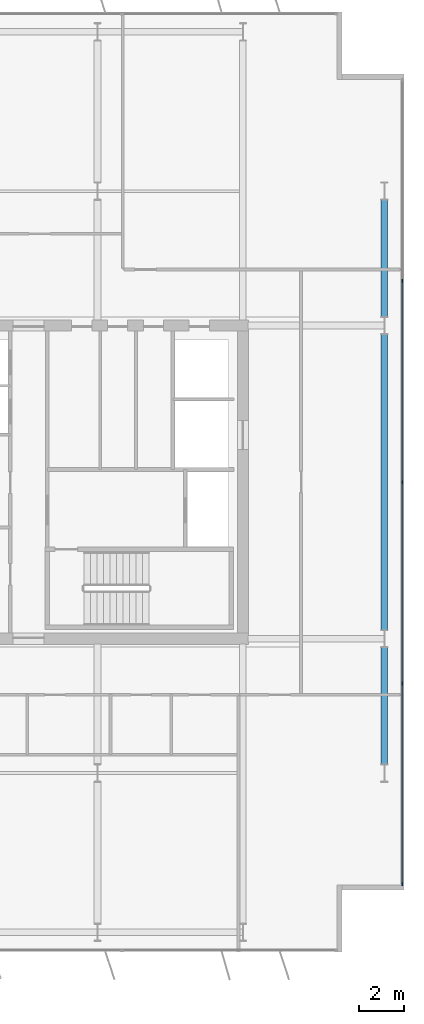
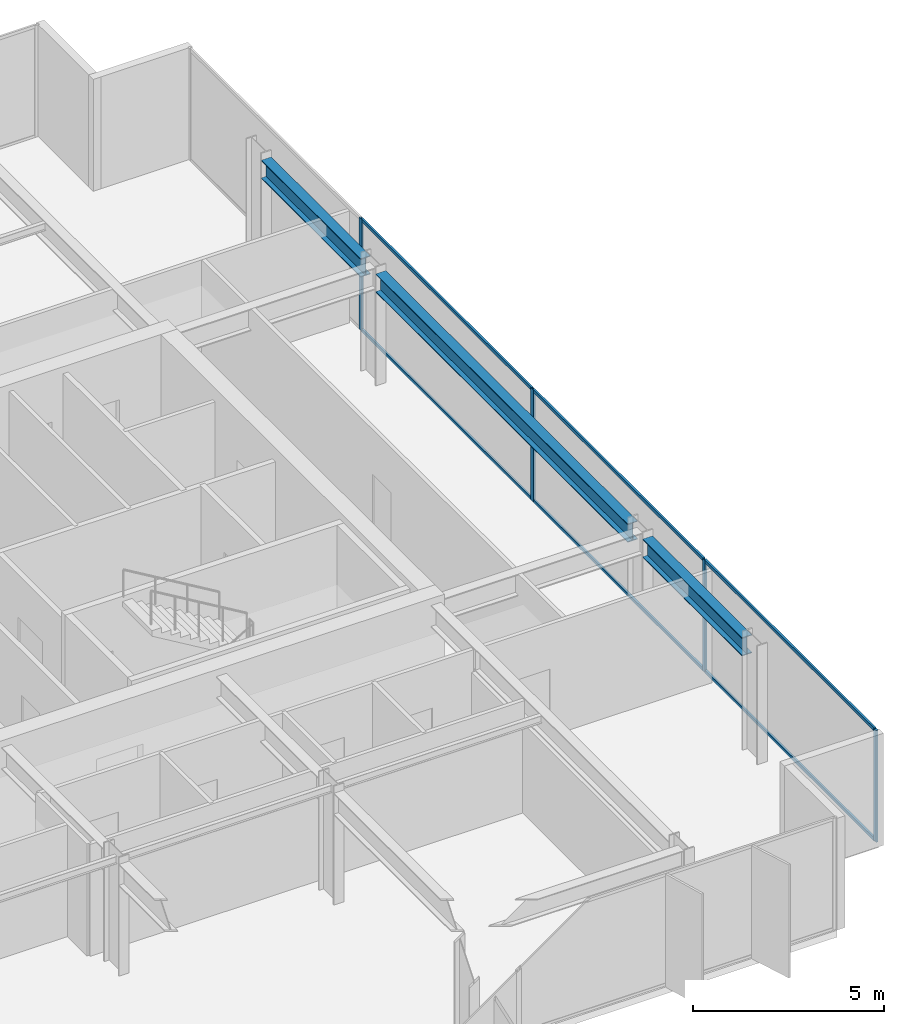
# One storey, part 14 of 23: 10 members, 3 beams, 1 element without a shape of its own.
"""IFC4 building model written with IfcOpenShell, lengths in metres."""

import ifcopenshell
import ifcopenshell.guid

model = None  # the IFC model being written
_history = None  # IfcOwnerHistory: only IFC2X3 demands one
_inside = {}  # id of a spatial element -> (the spatial element, [elements in it])
_under = {}  # id of a project, library or spatial element -> (it, [spatial elements below it])
_declared = {}  # id of a project -> (the project, [libraries it declares])
_typed = {}  # id of a type object -> (the type object, [elements of that type])
_made_of = {}  # id of a material, layer set ... -> (it, [elements and type objects made of it])


def new_model(schema):
    """Start an empty IFC model of exactly this schema.

    Asked for "IFC4X3", IfcOpenShell would pick the latest addendum, in which some entities
    have other attributes; the version numbers below select the first issue.
    IFC2X3 requires an IfcOwnerHistory on every rooted entity: one is made here for all.
    """
    global model, _history
    if schema == "IFC4X3":
        model = ifcopenshell.file(schema_version=(4, 3, 0, 0))
    else:
        model = ifcopenshell.file(schema=schema)
    _inside.clear()
    _under.clear()
    _declared.clear()
    _typed.clear()
    _made_of.clear()
    _history = None
    if model.schema == "IFC2X3":
        org = make("IfcOrganization", Name="unknown")
        user = make(
            "IfcPersonAndOrganization",
            ThePerson=make("IfcPerson", FamilyName="unknown"),
            TheOrganization=org,
        )
        app = make(
            "IfcApplication",
            ApplicationDeveloper=org,
            Version="unknown",
            ApplicationFullName="unknown",
            ApplicationIdentifier="unknown",
        )
        _history = make(
            "IfcOwnerHistory",
            OwningUser=user,
            OwningApplication=app,
            ChangeAction="ADDED",
            CreationDate=0,
        )
    return model


def make(cls, **values):
    """One entity of the class cls with the attributes given. An attribute that is None is left unset."""
    return model.create_entity(
        cls, **{name: value for name, value in values.items() if value is not None}
    )


def rooted(cls, **values):
    """An entity with a GlobalId (a new one), such as an element, a storey or a relation."""
    return make(cls, GlobalId=ifcopenshell.guid.new(), OwnerHistory=_history, **values)


def si_unit(unit_type, name, prefix=None):
    """IfcSIUnit, for example si_unit("LENGTHUNIT", "METRE", prefix="MILLI")."""
    return make("IfcSIUnit", UnitType=unit_type, Prefix=prefix, Name=name)


def assignment(units):
    """IfcUnitAssignment: the units of a project."""
    return None if units is None else make("IfcUnitAssignment", Units=units)


def point(xyz):
    """IfcCartesianPoint."""
    return None if xyz is None else make("IfcCartesianPoint", Coordinates=xyz)


def direction(xyz):
    """IfcDirection."""
    return None if xyz is None else make("IfcDirection", DirectionRatios=xyz)


def frame(location, z_axis=None, x_axis=None):
    """IfcAxis2Placement3D, a coordinate frame: its origin and axes. An axis left out is left unset."""
    return make(
        "IfcAxis2Placement3D",
        Location=point(location),
        Axis=direction(z_axis),
        RefDirection=direction(x_axis),
    )


def frame_2d(location, x_axis=None):
    """IfcAxis2Placement2D, a coordinate frame in the plane: its origin and x axis."""
    return make(
        "IfcAxis2Placement2D", Location=point(location), RefDirection=direction(x_axis)
    )


def origin():
    """The frame at (0, 0, 0) with its axes left unset."""
    return frame((0.0, 0.0, 0.0))


def origin_2d():
    """The frame at (0, 0) in the plane with its x axis left unset."""
    return frame_2d((0.0, 0.0))


def place(relative_to, where):
    """IfcLocalPlacement: puts the frame where relative to a parent placement (None: the world)."""
    return make(
        "IfcLocalPlacement", PlacementRelTo=relative_to, RelativePlacement=where
    )


def context(
    kind, dimensions, precision=None, world=None, true_north=None, identifier=None
):
    """IfcGeometricRepresentationContext, for example the 3D "Model" context."""
    return make(
        "IfcGeometricRepresentationContext",
        ContextIdentifier=identifier,
        ContextType=kind,
        CoordinateSpaceDimension=dimensions,
        Precision=precision,
        WorldCoordinateSystem=world,
        TrueNorth=true_north,
    )


def subcontext(parent, identifier, kind, view, scale=None):
    """IfcGeometricRepresentationSubContext, for example "Body" below "Model"."""
    return make(
        "IfcGeometricRepresentationSubContext",
        ContextIdentifier=identifier,
        ContextType=kind,
        ParentContext=parent,
        TargetScale=scale,
        TargetView=view,
    )


def project(units=None, contexts=None):
    """IfcProject with its units and contexts."""
    return rooted(
        "IfcProject",
        Name="project",
        RepresentationContexts=contexts,
        UnitsInContext=assignment(units),
    )


def spatial(cls, under=None, at=None, **own):
    """A site, building, storey or space (cls), placed at a placement, below another one or the project."""
    s = rooted(cls, ObjectPlacement=at, **own)
    if under is not None:
        _under.setdefault(under.id(), (under, []))[1].append(s)
    return s


def profile(cls, at=None, kind="AREA", **sizes):
    """A parametric profile (cls). Its sizes go by their IFC names, for example OverallWidth=200.0."""
    return make(cls, ProfileType=kind, Position=at, **sizes)


def rectangle(**sizes):
    """IfcRectangleProfileDef."""
    return profile("IfcRectangleProfileDef", **sizes)


def i_section(**sizes):
    """IfcIShapeProfileDef."""
    return profile("IfcIShapeProfileDef", **sizes)


def extrude(swept, where, along, depth):
    """IfcExtrudedAreaSolid: the profile swept, set in the frame where, extruded along a direction by depth."""
    return make(
        "IfcExtrudedAreaSolid",
        SweptArea=swept,
        Position=where,
        ExtrudedDirection=direction(along),
        Depth=depth,
    )


def shape(context_of_items, identifier, shape_type, items):
    """IfcShapeRepresentation: the items that make up one representation, for example the "Body"."""
    return make(
        "IfcShapeRepresentation",
        ContextOfItems=context_of_items,
        RepresentationIdentifier=identifier,
        RepresentationType=shape_type,
        Items=items,
    )


def material(Name=None, Category=None):
    """IfcMaterial."""
    return make("IfcMaterial", Name=Name, Category=Category)


def layer(
    of_material, thickness, ventilated=None, Name=None, Category=None, Priority=None
):
    """IfcMaterialLayer: one layer of a wall or slab, of a material (None: an air gap)."""
    return make(
        "IfcMaterialLayer",
        Material=of_material,
        LayerThickness=thickness,
        IsVentilated=ventilated,
        Name=Name,
        Category=Category,
        Priority=Priority,
    )


def layer_set(layers, Name=None):
    """IfcMaterialLayerSet."""
    return make("IfcMaterialLayerSet", MaterialLayers=layers, LayerSetName=Name)


def material_profile(
    of_material, cross_section, Name=None, Category=None, Priority=None
):
    """IfcMaterialProfile: a cross section and its material."""
    return make(
        "IfcMaterialProfile",
        Name=Name,
        Material=of_material,
        Profile=cross_section,
        Priority=Priority,
        Category=Category,
    )


def profile_set(profiles, Name=None, composite=None):
    """IfcMaterialProfileSet."""
    return make(
        "IfcMaterialProfileSet",
        Name=Name,
        MaterialProfiles=profiles,
        CompositeProfile=composite,
    )


def made_of(thing, what):
    """Note that an element or type object is made of a material, layer set ...; save() writes the relation."""
    if what is not None:
        _made_of.setdefault(what.id(), (what, []))[1].append(thing)
    return thing


def type_object(cls, material=None, **own):
    """A type object (cls), such as IfcWallType, which elements share."""
    return made_of(rooted(cls, **own), material)


def element(
    cls,
    number,
    at=None,
    inside=None,
    cuts=None,
    type_object=None,
    material=None,
    context=None,
    identifier="Body",
    shape_type=None,
    held_by="IfcProductDefinitionShape",
    body=None,
    shapes=None,
    **own,
):
    """One element of the class cls, such as IfcWall. Its Tag is "e" and its number.

    at: its placement. inside: the storey or other place that contains it. cuts: it is an
    opening in that element (IfcRelVoidsElement). A single representation is given by context,
    identifier, shape_type and body (its items); several are given by shapes. held_by: the class
    of the entity that holds the representations. save() writes the other relations.
    """
    e = rooted(cls, Tag="e%d" % number, ObjectPlacement=at, **own)
    if body is not None:
        shapes = [shape(context, identifier, shape_type, body)]
    if shapes is not None:
        e.Representation = make(held_by, Representations=shapes)
    if inside is not None:
        _inside.setdefault(inside.id(), (inside, []))[1].append(e)
    if cuts is not None:
        rooted(
            "IfcRelVoidsElement", RelatingBuildingElement=cuts, RelatedOpeningElement=e
        )
    if type_object is not None:
        _typed.setdefault(type_object.id(), (type_object, []))[1].append(e)
    return made_of(e, material)


def aggregate(whole, parts):
    """IfcRelAggregates: a whole, such as a stair, and the parts it consists of."""
    return rooted("IfcRelAggregates", RelatingObject=whole, RelatedObjects=parts)


def save(model, path):
    """Write the relations noted so far, then the file.

    IfcRelAggregates (storeys below a building ...), IfcRelContainedInSpatialStructure (elements
    in a storey), IfcRelDefinesByType, IfcRelAssociatesMaterial and IfcRelDeclares: one each for
    every whole, place, type object, material and project.
    """
    for whole, parts in _under.values():
        aggregate(whole, parts)
    for where, things in _inside.values():
        rooted(
            "IfcRelContainedInSpatialStructure",
            RelatedElements=things,
            RelatingStructure=where,
        )
    for kind, things in _typed.values():
        rooted("IfcRelDefinesByType", RelatedObjects=things, RelatingType=kind)
    for what, things in _made_of.values():
        rooted("IfcRelAssociatesMaterial", RelatedObjects=things, RelatingMaterial=what)
    for by, libraries in _declared.values():
        rooted("IfcRelDeclares", RelatingContext=by, RelatedDefinitions=libraries)
    model.write(path)


model = new_model("IFC4")

# Units and contexts
model_context = context("Model", 3, precision=1e-05, world=origin(), true_north=direction((0.0, 1.0)))
body_context = subcontext(model_context, "Body", "Model", "MODEL_VIEW")
ifc_project = project(units=[si_unit("LENGTHUNIT", "METRE"), si_unit("AREAUNIT", "SQUARE_METRE"), si_unit("VOLUMEUNIT", "CUBIC_METRE"), si_unit("PLANEANGLEUNIT", "RADIAN"), si_unit("MASSUNIT", "GRAM", prefix="KILO")], contexts=[model_context])

# Site, building, storey
site_placement = place(None, origin())
site = spatial("IfcSite", under=ifc_project, at=site_placement, CompositionType="ELEMENT")
building_placement = place(site_placement, origin())
building = spatial("IfcBuilding", under=site, at=building_placement, Name="Putna Gate Headquarters", CompositionType="ELEMENT")
storey_placement = place(building_placement, frame((0.0, 0.0, 213.800048828125)))
storey = spatial("IfcBuildingStorey", under=building, at=storey_placement, Name="L53", CompositionType="ELEMENT", Elevation=213.800048828125)

# Beams
ifc_material_1 = material(Name="Steel S355J2", Category="steel")
ifc_material_profile_1 = material_profile(ifc_material_1, i_section(OverallWidth=0.300048828125, OverallDepth=0.590087890625, WebThickness=0.012939453125, FlangeThickness=0.02490234375, at=origin_2d()), Name="Steel S355J2")
ifc_profile_set_1 = profile_set([ifc_material_profile_1], Name="Steel S355J2")
beam_type = type_object("IfcBeamType", Name="BM-SPAN-Z4-HEA600", PredefinedType="SPANDREL", material=ifc_profile_set_1)
beam_1_placement = place(storey_placement, frame((71.320068359375, 13.39501953125, 3.284912109375), z_axis=(0.0, 1.0, 0.0), x_axis=(-1.0, 0.0, 0.0)))
element("IfcBeam", 1, at=beam_1_placement, inside=storey, type_object=beam_type, Name="L53 E End Spandrel 1", PredefinedType="SPANDREL", context=body_context, shape_type="SweptSolid", body=[
    extrude(i_section(OverallWidth=0.300048828125, OverallDepth=0.590087890625, WebThickness=0.012939453125, FlangeThickness=0.02490234375, at=origin_2d()), origin(), (0.0, 0.0, 1.0), 5.2099609375),
])
beam_2_placement = place(storey_placement, frame((71.320068359375, 19.39501953125, 3.284912109375), z_axis=(0.0, 1.0, 0.0), x_axis=(-1.0, 0.0, 0.0)))
element("IfcBeam", 2, at=beam_2_placement, inside=storey, type_object=beam_type, Name="L53 E End Spandrel 2", PredefinedType="SPANDREL", context=body_context, shape_type="SweptSolid", body=[
    extrude(i_section(OverallWidth=0.300048828125, OverallDepth=0.590087890625, WebThickness=0.012939453125, FlangeThickness=0.02490234375, at=origin_2d()), origin(), (0.0, 0.0, 1.0), 13.2099609375),
])
beam_3_placement = place(storey_placement, frame((71.320068359375, 33.39501953125, 3.284912109375), z_axis=(0.0, 1.0, 0.0), x_axis=(-1.0, 0.0, 0.0)))
element("IfcBeam", 3, at=beam_3_placement, inside=storey, type_object=beam_type, Name="L53 E End Spandrel 3", PredefinedType="SPANDREL", context=body_context, shape_type="SweptSolid", body=[
    extrude(i_section(OverallWidth=0.300048828125, OverallDepth=0.590087890625, WebThickness=0.012939453125, FlangeThickness=0.02490234375, at=origin_2d()), origin(), (0.0, 0.0, 1.0), 5.2099609375),
])

# Curtain wall, members
ifc_material_2 = material(Name="Anodised bronze aluminium curtain wall", Category="aluminium")
ifc_layer = layer(ifc_material_2, 0.139892578125)
ifc_layer_set = layer_set([ifc_layer], Name="Anodised bronze aluminium curtain wall")
curtain_wall_type = type_object("IfcCurtainWallType", Name="CW-SYS-Z4", PredefinedType="USERDEFINED", material=ifc_layer_set)
curtain_wall_placement = place(storey_placement, origin())
curtain_wall = element("IfcCurtainWall", 4, at=curtain_wall_placement, inside=storey, type_object=curtain_wall_type, Name="L53 East Curtain Wall", ObjectType="STICK CURTAIN WALL", PredefinedType="USERDEFINED")
ifc_material_3 = material(Name="Anodised bronze aluminium EN AW-6060", Category="aluminium")
ifc_material_profile_2 = material_profile(ifc_material_3, rectangle(XDim=0.06005859375, YDim=0.139892578125, at=origin_2d()), Name="Anodised bronze aluminium EN AW-6060")
ifc_profile_set_2 = profile_set([ifc_material_profile_2], Name="Anodised bronze aluminium EN AW-6060")
member_type_1 = type_object("IfcMemberType", Name="MULL-CWM-4", PredefinedType="MULLION", material=ifc_profile_set_2)
member_1_placement = place(storey_placement, frame((72.1201171875, 8.030029296875, 0.0), z_axis=(0.0, 0.0, 1.0), x_axis=(-1.0, 0.0, 0.0)))
member_1 = element("IfcMember", 5, at=member_1_placement, type_object=member_type_1, Name="CWS-4 mullion 1", PredefinedType="MULLION", context=body_context, shape_type="SweptSolid", body=[
    extrude(rectangle(XDim=0.06005859375, YDim=0.139892578125, at=origin_2d()), origin(), (0.0, 0.0, 1.0), 3.579833984375),
])
member_2_placement = place(storey_placement, frame((72.1201171875, 17.0, 0.0), z_axis=(0.0, 0.0, 1.0), x_axis=(-1.0, 0.0, 0.0)))
member_2 = element("IfcMember", 6, at=member_2_placement, type_object=member_type_1, Name="CWS-4 mullion 2", PredefinedType="MULLION", context=body_context, shape_type="SweptSolid", body=[
    extrude(rectangle(XDim=0.06005859375, YDim=0.139892578125, at=origin_2d()), origin(), (0.0, 0.0, 1.0), 3.579833984375),
])
member_3_placement = place(storey_placement, frame((72.1201171875, 26.0, 0.0), z_axis=(0.0, 0.0, 1.0), x_axis=(-1.0, 0.0, 0.0)))
member_3 = element("IfcMember", 7, at=member_3_placement, type_object=member_type_1, Name="CWS-4 mullion 3", PredefinedType="MULLION", context=body_context, shape_type="SweptSolid", body=[
    extrude(rectangle(XDim=0.06005859375, YDim=0.139892578125, at=origin_2d()), origin(), (0.0, 0.0, 1.0), 3.579833984375),
])
member_4_placement = place(storey_placement, frame((72.1201171875, 35.0, 0.0), z_axis=(0.0, 0.0, 1.0), x_axis=(-1.0, 0.0, 0.0)))
member_4 = element("IfcMember", 8, at=member_4_placement, type_object=member_type_1, Name="CWS-4 mullion 4", PredefinedType="MULLION", context=body_context, shape_type="SweptSolid", body=[
    extrude(rectangle(XDim=0.06005859375, YDim=0.139892578125, at=origin_2d()), origin(), (0.0, 0.0, 1.0), 3.579833984375),
])
ifc_material_profile_3 = material_profile(ifc_material_3, rectangle(XDim=0.06005859375, YDim=0.10009765625, at=origin_2d()), Name="Anodised bronze aluminium EN AW-6060")
ifc_profile_set_3 = profile_set([ifc_material_profile_3], Name="Anodised bronze aluminium EN AW-6060")
member_type_2 = type_object("IfcMemberType", Name="TRAN-CWT-4", PredefinedType="USERDEFINED", material=ifc_profile_set_3)
member_5_placement = place(storey_placement, frame((72.1201171875, 8.06005859375, 0.030029296875), z_axis=(0.0, 1.0, 0.0), x_axis=(-1.0, 0.0, 0.0)))
member_5 = element("IfcMember", 9, at=member_5_placement, type_object=member_type_2, Name="CWS-4 transom 1.1", ObjectType="TRANSOM", PredefinedType="USERDEFINED", context=body_context, shape_type="SweptSolid", body=[
    extrude(rectangle(XDim=0.06005859375, YDim=0.10009765625, at=origin_2d()), origin(), (0.0, 0.0, 1.0), 8.909912109375),
])
member_6_placement = place(storey_placement, frame((72.1201171875, 8.06005859375, 3.550048828125), z_axis=(0.0, 1.0, 0.0), x_axis=(-1.0, 0.0, 0.0)))
member_6 = element("IfcMember", 10, at=member_6_placement, type_object=member_type_2, Name="CWS-4 transom 1.2", ObjectType="TRANSOM", PredefinedType="USERDEFINED", context=body_context, shape_type="SweptSolid", body=[
    extrude(rectangle(XDim=0.06005859375, YDim=0.10009765625, at=origin_2d()), origin(), (0.0, 0.0, 1.0), 8.909912109375),
])
member_7_placement = place(storey_placement, frame((72.1201171875, 17.030029296875, 0.030029296875), z_axis=(0.0, 1.0, 0.0), x_axis=(-1.0, 0.0, 0.0)))
member_7 = element("IfcMember", 11, at=member_7_placement, type_object=member_type_2, Name="CWS-4 transom 2.1", ObjectType="TRANSOM", PredefinedType="USERDEFINED", context=body_context, shape_type="SweptSolid", body=[
    extrude(rectangle(XDim=0.06005859375, YDim=0.10009765625, at=origin_2d()), origin(), (0.0, 0.0, 1.0), 8.93994140625),
])
member_8_placement = place(storey_placement, frame((72.1201171875, 17.030029296875, 3.550048828125), z_axis=(0.0, 1.0, 0.0), x_axis=(-1.0, 0.0, 0.0)))
member_8 = element("IfcMember", 12, at=member_8_placement, type_object=member_type_2, Name="CWS-4 transom 2.2", ObjectType="TRANSOM", PredefinedType="USERDEFINED", context=body_context, shape_type="SweptSolid", body=[
    extrude(rectangle(XDim=0.06005859375, YDim=0.10009765625, at=origin_2d()), origin(), (0.0, 0.0, 1.0), 8.93994140625),
])
member_9_placement = place(storey_placement, frame((72.1201171875, 26.030029296875, 0.030029296875), z_axis=(0.0, 1.0, 0.0), x_axis=(-1.0, 0.0, 0.0)))
member_9 = element("IfcMember", 13, at=member_9_placement, type_object=member_type_2, Name="CWS-4 transom 3.1", ObjectType="TRANSOM", PredefinedType="USERDEFINED", context=body_context, shape_type="SweptSolid", body=[
    extrude(rectangle(XDim=0.06005859375, YDim=0.10009765625, at=origin_2d()), origin(), (0.0, 0.0, 1.0), 8.93994140625),
])
member_10_placement = place(storey_placement, frame((72.1201171875, 26.030029296875, 3.550048828125), z_axis=(0.0, 1.0, 0.0), x_axis=(-1.0, 0.0, 0.0)))
member_10 = element("IfcMember", 14, at=member_10_placement, type_object=member_type_2, Name="CWS-4 transom 3.2", ObjectType="TRANSOM", PredefinedType="USERDEFINED", context=body_context, shape_type="SweptSolid", body=[
    extrude(rectangle(XDim=0.06005859375, YDim=0.10009765625, at=origin_2d()), origin(), (0.0, 0.0, 1.0), 8.93994140625),
])
aggregate(curtain_wall, [member_1, member_2, member_3, member_4, member_5, member_6, member_7, member_8, member_9, member_10])

save(model, "model.ifc")
